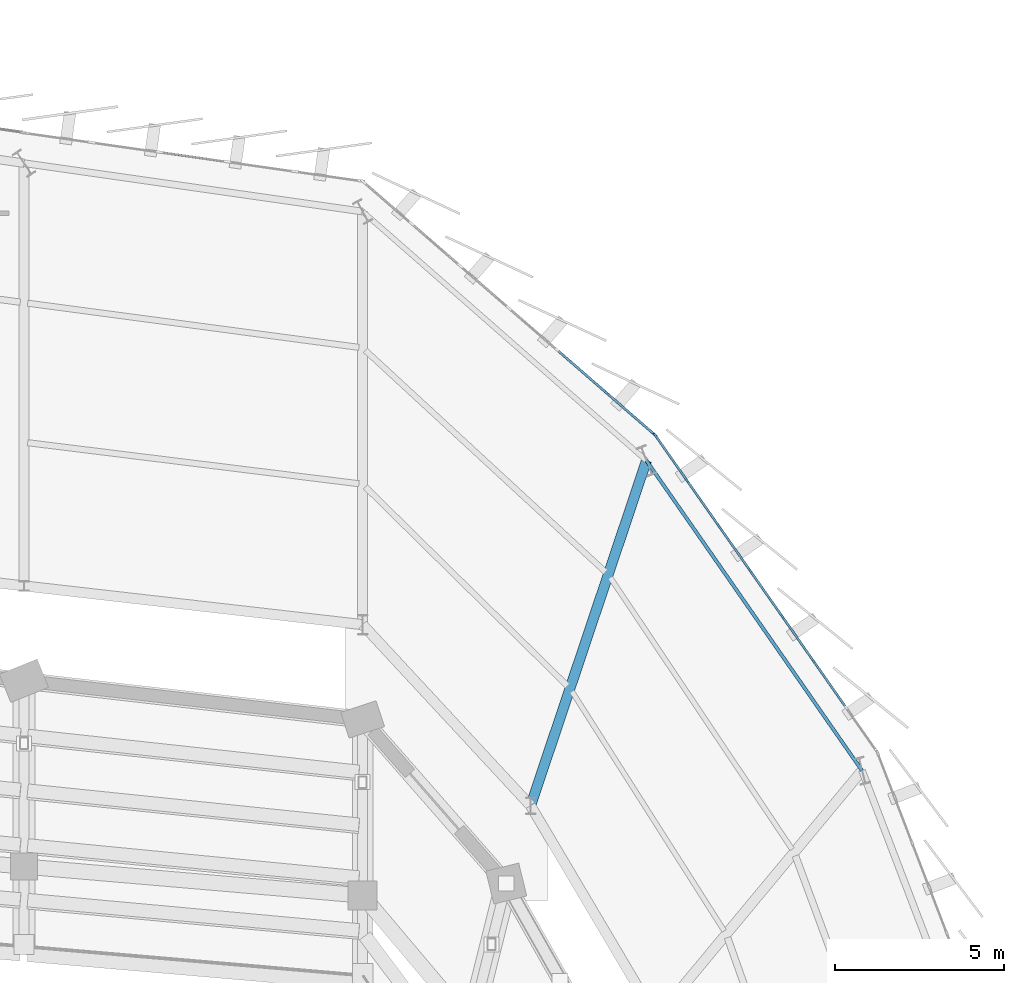
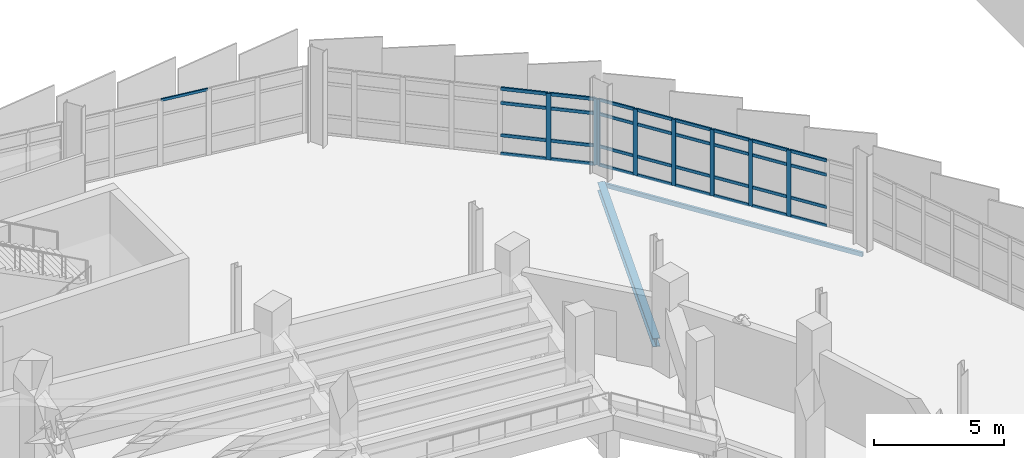
# One storey, part 72 of 120: 41 members, 2 beams, 3 elements without a shape of their own.
"""IFC4 building model written with IfcOpenShell, lengths in metres."""

from ifc_helpers import new_model, si_unit, direction, frame, origin, origin_2d, place, context, subcontext, project, spatial, rectangle, hollow_rectangle, i_section, extrude, material, layer, layer_set, material_profile, profile_set, type_object, element, aggregate, save


model = new_model("IFC4")

# Units and contexts
model_context = context("Model", 3, precision=1e-05, world=origin(), true_north=direction((0.0, 1.0)))
body_context = subcontext(model_context, "Body", "Model", "MODEL_VIEW")
ifc_project = project(units=[si_unit("LENGTHUNIT", "METRE"), si_unit("AREAUNIT", "SQUARE_METRE"), si_unit("VOLUMEUNIT", "CUBIC_METRE"), si_unit("PLANEANGLEUNIT", "RADIAN"), si_unit("MASSUNIT", "GRAM", prefix="KILO")], contexts=[model_context])

# Site, building, storey
site_placement = place(None, origin())
site = spatial("IfcSite", under=ifc_project, at=site_placement, CompositionType="ELEMENT")
building_placement = place(site_placement, origin())
building = spatial("IfcBuilding", under=site, at=building_placement, Name="Sohan Crest Arena", CompositionType="ELEMENT")
storey_placement = place(building_placement, frame((0.0, 0.0, 13.5)))
storey = spatial("IfcBuildingStorey", under=building, at=storey_placement, Name="L03", CompositionType="ELEMENT", Elevation=13.5)

# Curtain wall, members
ifc_material_1 = material(Name="Thermally broken anodised aluminium", Category="aluminium")
ifc_layer_1 = layer(ifc_material_1, 0.199951171875, Name="Thermally broken anodised aluminium")
ifc_layer_set_1 = layer_set([ifc_layer_1], Name="Thermally broken anodised aluminium")
curtain_wall_type_1 = type_object("IfcCurtainWallType", Name="ARC-CW02", PredefinedType="NOTDEFINED", material=ifc_layer_set_1)
curtain_wall_1_placement = place(storey_placement, origin())
curtain_wall_1 = element("IfcCurtainWall", 1, at=curtain_wall_1_placement, inside=storey, type_object=curtain_wall_type_1, Name="Unitised curtain wall CW-103", PredefinedType="NOTDEFINED")
ifc_material_profile_1 = material_profile(ifc_material_1, rectangle(XDim=0.06494140625, YDim=0.179931640625, at=origin_2d()), Name="ALU-MULL 65x180")
ifc_profile_set_1 = profile_set([ifc_material_profile_1], Name="Thermally broken anodised aluminium")
member_type_1 = type_object("IfcMemberType", Name="ARC-CW-ML02", PredefinedType="MULLION", material=ifc_profile_set_1)
member_1_placement = place(storey_placement, frame((181.327392578125, 102.709228515625, 0.0), z_axis=(0.0, 0.0, 1.0), x_axis=(-0.818899102687, -0.573937504976, 0.0)))
member_1 = element("IfcMember", 2, at=member_1_placement, type_object=member_type_1, Name="CW-103 mullion 3", PredefinedType="MULLION", context=body_context, shape_type="SweptSolid", body=[
    extrude(rectangle(XDim=0.06494140625, YDim=0.179931640625, at=origin_2d()), origin(), (0.0, 0.0, 1.0), 3.1201171875),
])
member_2_placement = place(storey_placement, frame((180.389404296875, 104.04736328125, 0.0), z_axis=(0.0, 0.0, 1.0), x_axis=(-0.818899102687, -0.573937504976, 0.0)))
member_2 = element("IfcMember", 3, at=member_2_placement, type_object=member_type_1, Name="CW-103 mullion 4", PredefinedType="MULLION", context=body_context, shape_type="SweptSolid", body=[
    extrude(rectangle(XDim=0.06494140625, YDim=0.179931640625, at=origin_2d()), origin(), (0.0, 0.0, 1.0), 3.1201171875),
])
member_3_placement = place(storey_placement, frame((179.45166015625, 105.385498046875, 0.0), z_axis=(0.0, 0.0, 1.0), x_axis=(-0.818899102687, -0.573937504976, 0.0)))
member_3 = element("IfcMember", 4, at=member_3_placement, type_object=member_type_1, Name="CW-103 mullion 5", PredefinedType="MULLION", context=body_context, shape_type="SweptSolid", body=[
    extrude(rectangle(XDim=0.06494140625, YDim=0.179931640625, at=origin_2d()), origin(), (0.0, 0.0, 1.0), 3.1201171875),
])
member_4_placement = place(storey_placement, frame((178.513671875, 106.7236328125, 0.0), z_axis=(0.0, 0.0, 1.0), x_axis=(-0.818899102687, -0.573937504976, 0.0)))
member_4 = element("IfcMember", 5, at=member_4_placement, type_object=member_type_1, Name="CW-103 mullion 6", PredefinedType="MULLION", context=body_context, shape_type="SweptSolid", body=[
    extrude(rectangle(XDim=0.06494140625, YDim=0.179931640625, at=origin_2d()), origin(), (0.0, 0.0, 1.0), 3.1201171875),
])
member_5_placement = place(storey_placement, frame((177.575927734375, 108.061767578125, 0.0), z_axis=(0.0, 0.0, 1.0), x_axis=(-0.818899102687, -0.573937504976, 0.0)))
member_5 = element("IfcMember", 6, at=member_5_placement, type_object=member_type_1, Name="CW-103 mullion 7", PredefinedType="MULLION", context=body_context, shape_type="SweptSolid", body=[
    extrude(rectangle(XDim=0.06494140625, YDim=0.179931640625, at=origin_2d()), origin(), (0.0, 0.0, 1.0), 3.1201171875),
])
member_6_placement = place(storey_placement, frame((176.65673828125, 109.373291015625, 0.0), z_axis=(0.0, 0.0, 1.0), x_axis=(-0.818899102687, -0.573937504976, 0.0)))
member_6 = element("IfcMember", 7, at=member_6_placement, type_object=member_type_1, Name="CW-103 mullion 8", PredefinedType="MULLION", context=body_context, shape_type="SweptSolid", body=[
    extrude(rectangle(XDim=0.06494140625, YDim=0.179931640625, at=origin_2d()), origin(), (0.0, 0.0, 1.0), 3.1201171875),
])

ifc_layer_2 = layer(ifc_material_1, 0.219970703125, Name="Thermally broken anodised aluminium")
ifc_layer_set_2 = layer_set([ifc_layer_2], Name="Thermally broken anodised aluminium")
curtain_wall_type_2 = type_object("IfcCurtainWallType", Name="ARC-CW03", PredefinedType="NOTDEFINED", material=ifc_layer_set_2)
curtain_wall_2_placement = place(storey_placement, origin())
curtain_wall_2 = element("IfcCurtainWall", 8, at=curtain_wall_2_placement, inside=storey, type_object=curtain_wall_type_2, Name="Unitised curtain wall CW-104", PredefinedType="NOTDEFINED")
ifc_material_profile_2 = material_profile(ifc_material_1, rectangle(XDim=0.070068359375, YDim=0.199951171875, at=origin_2d()), Name="ALU-MULL 70x200")
ifc_profile_set_2 = profile_set([ifc_material_profile_2], Name="Thermally broken anodised aluminium")
member_type_2 = type_object("IfcMemberType", Name="ARC-CW-ML03", PredefinedType="MULLION", material=ifc_profile_set_2)
member_7_placement = place(storey_placement, frame((176.611572265625, 109.4228515625, 0.0), z_axis=(0.0, 0.0, 1.0), x_axis=(-0.655615836736, -0.755094613026, 0.0)))
member_7 = element("IfcMember", 9, at=member_7_placement, type_object=member_type_2, Name="CW-104 mullion 1", PredefinedType="MULLION", context=body_context, shape_type="SweptSolid", body=[
    extrude(rectangle(XDim=0.070068359375, YDim=0.199951171875, at=origin_2d()), origin(), (0.0, 0.0, 1.0), 3.1201171875),
])
member_8_placement = place(storey_placement, frame((175.1982421875, 110.64990234375, 0.0), z_axis=(0.0, 0.0, 1.0), x_axis=(-0.655615836736, -0.755094613026, 0.0)))
member_8 = element("IfcMember", 10, at=member_8_placement, type_object=member_type_2, Name="CW-104 mullion 2", PredefinedType="MULLION", context=body_context, shape_type="SweptSolid", body=[
    extrude(rectangle(XDim=0.070068359375, YDim=0.199951171875, at=origin_2d()), origin(), (0.0, 0.0, 1.0), 3.1201171875),
])

# Curtain wall, member
ifc_layer_3 = layer(ifc_material_1, 0.239990234375, Name="Thermally broken anodised aluminium")
ifc_layer_set_3 = layer_set([ifc_layer_3], Name="Thermally broken anodised aluminium")
curtain_wall_type_3 = type_object("IfcCurtainWallType", Name="ARC-CW04", PredefinedType="NOTDEFINED", material=ifc_layer_set_3)
curtain_wall_3_placement = place(storey_placement, origin())
curtain_wall_3 = element("IfcCurtainWall", 11, at=curtain_wall_3_placement, inside=storey, type_object=curtain_wall_type_3, Name="Unitised curtain wall CW-105", PredefinedType="NOTDEFINED")
ifc_material_profile_3 = material_profile(ifc_material_1, rectangle(XDim=0.06005859375, YDim=0.1201171875, at=origin_2d()), Name="ALU-TRAN 60x120")
ifc_profile_set_3 = profile_set([ifc_material_profile_3], Name="Thermally broken anodised aluminium")
member_type_3 = type_object("IfcMemberType", Name="ARC-CW-TR01", PredefinedType="USERDEFINED", material=ifc_profile_set_3)
member_9_placement = place(storey_placement, frame((163.962890625, 117.476806640625, 3.090087890625), z_axis=(-0.989929403979, 0.141561912739, 0.0), x_axis=(-0.141561912739, -0.989929403979, 0.0)))
member_9 = element("IfcMember", 12, at=member_9_placement, type_object=member_type_3, Name="CW-105 transom 3.4", ObjectType="TRANSOM", PredefinedType="USERDEFINED", context=body_context, shape_type="SweptSolid", body=[
    extrude(rectangle(XDim=0.06005859375, YDim=0.1201171875, at=origin_2d()), origin(), (0.0, 0.0, 1.0), 1.9453125),
])
aggregate(curtain_wall_3, [member_9])

# Member
ifc_material_profile_4 = material_profile(ifc_material_1, rectangle(XDim=0.06494140625, YDim=0.139892578125, at=origin_2d()), Name="ALU-TRAN 65x140")
ifc_profile_set_4 = profile_set([ifc_material_profile_4], Name="Thermally broken anodised aluminium")
member_type_4 = type_object("IfcMemberType", Name="ARC-CW-TR02", PredefinedType="USERDEFINED", material=ifc_profile_set_4)
member_10_placement = place(storey_placement, frame((182.24658203125, 101.397705078125, 0.032470703125), z_axis=(-0.573973906459, 0.818873588965, 0.0), x_axis=(-0.818873588965, -0.573973906459, 0.0)))
member_10 = element("IfcMember", 13, at=member_10_placement, type_object=member_type_4, Name="CW-103 transom 2.1", ObjectType="TRANSOM", PredefinedType="USERDEFINED", context=body_context, shape_type="SweptSolid", body=[
    extrude(rectangle(XDim=0.06494140625, YDim=0.139892578125, at=origin_2d()), origin(), (0.0, 0.0, 1.0), 1.569091796875),
])

member_11_placement = place(storey_placement, frame((182.24658203125, 101.397705078125, 0.89990234375), z_axis=(-0.573973906459, 0.818873588965, 0.0), x_axis=(-0.818873588965, -0.573973906459, 0.0)))
member_11 = element("IfcMember", 14, at=member_11_placement, type_object=member_type_4, Name="CW-103 transom 2.2", ObjectType="TRANSOM", PredefinedType="USERDEFINED", context=body_context, shape_type="SweptSolid", body=[
    extrude(rectangle(XDim=0.06494140625, YDim=0.139892578125, at=origin_2d()), origin(), (0.0, 0.0, 1.0), 1.569091796875),
])

member_12_placement = place(storey_placement, frame((182.24658203125, 101.397705078125, 2.419921875), z_axis=(-0.573973906459, 0.818873588965, 0.0), x_axis=(-0.818873588965, -0.573973906459, 0.0)))
member_12 = element("IfcMember", 15, at=member_12_placement, type_object=member_type_4, Name="CW-103 transom 2.3", ObjectType="TRANSOM", PredefinedType="USERDEFINED", context=body_context, shape_type="SweptSolid", body=[
    extrude(rectangle(XDim=0.06494140625, YDim=0.139892578125, at=origin_2d()), origin(), (0.0, 0.0, 1.0), 1.569091796875),
])

member_13_placement = place(storey_placement, frame((182.24658203125, 101.397705078125, 3.08740234375), z_axis=(-0.573973906459, 0.818873588965, 0.0), x_axis=(-0.818873588965, -0.573973906459, 0.0)))
member_13 = element("IfcMember", 16, at=member_13_placement, type_object=member_type_4, Name="CW-103 transom 2.4", ObjectType="TRANSOM", PredefinedType="USERDEFINED", context=body_context, shape_type="SweptSolid", body=[
    extrude(rectangle(XDim=0.06494140625, YDim=0.139892578125, at=origin_2d()), origin(), (0.0, 0.0, 1.0), 1.569091796875),
])

member_14_placement = place(storey_placement, frame((181.30859375, 102.73583984375, 0.032470703125), z_axis=(-0.573869560556, 0.818946718332, 0.0), x_axis=(-0.818946718332, -0.573869560556, 0.0)))
member_14 = element("IfcMember", 17, at=member_14_placement, type_object=member_type_4, Name="CW-103 transom 3.1", ObjectType="TRANSOM", PredefinedType="USERDEFINED", context=body_context, shape_type="SweptSolid", body=[
    extrude(rectangle(XDim=0.06494140625, YDim=0.139892578125, at=origin_2d()), origin(), (0.0, 0.0, 1.0), 1.569091796875),
])

member_15_placement = place(storey_placement, frame((181.30859375, 102.73583984375, 0.89990234375), z_axis=(-0.573869560556, 0.818946718332, 0.0), x_axis=(-0.818946718332, -0.573869560556, 0.0)))
member_15 = element("IfcMember", 18, at=member_15_placement, type_object=member_type_4, Name="CW-103 transom 3.2", ObjectType="TRANSOM", PredefinedType="USERDEFINED", context=body_context, shape_type="SweptSolid", body=[
    extrude(rectangle(XDim=0.06494140625, YDim=0.139892578125, at=origin_2d()), origin(), (0.0, 0.0, 1.0), 1.569091796875),
])

member_16_placement = place(storey_placement, frame((181.30859375, 102.73583984375, 2.419921875), z_axis=(-0.573869560556, 0.818946718332, 0.0), x_axis=(-0.818946718332, -0.573869560556, 0.0)))
member_16 = element("IfcMember", 19, at=member_16_placement, type_object=member_type_4, Name="CW-103 transom 3.3", ObjectType="TRANSOM", PredefinedType="USERDEFINED", context=body_context, shape_type="SweptSolid", body=[
    extrude(rectangle(XDim=0.06494140625, YDim=0.139892578125, at=origin_2d()), origin(), (0.0, 0.0, 1.0), 1.569091796875),
])

member_17_placement = place(storey_placement, frame((181.30859375, 102.73583984375, 3.08740234375), z_axis=(-0.573869560556, 0.818946718332, 0.0), x_axis=(-0.818946718332, -0.573869560556, 0.0)))
member_17 = element("IfcMember", 20, at=member_17_placement, type_object=member_type_4, Name="CW-103 transom 3.4", ObjectType="TRANSOM", PredefinedType="USERDEFINED", context=body_context, shape_type="SweptSolid", body=[
    extrude(rectangle(XDim=0.06494140625, YDim=0.139892578125, at=origin_2d()), origin(), (0.0, 0.0, 1.0), 1.569091796875),
])

member_18_placement = place(storey_placement, frame((180.370849609375, 104.073974609375, 0.032470703125), z_axis=(-0.573973906459, 0.818873588965, 0.0), x_axis=(-0.818873588965, -0.573973906459, 0.0)))
member_18 = element("IfcMember", 21, at=member_18_placement, type_object=member_type_4, Name="CW-103 transom 4.1", ObjectType="TRANSOM", PredefinedType="USERDEFINED", context=body_context, shape_type="SweptSolid", body=[
    extrude(rectangle(XDim=0.06494140625, YDim=0.139892578125, at=origin_2d()), origin(), (0.0, 0.0, 1.0), 1.569091796875),
])

member_19_placement = place(storey_placement, frame((180.370849609375, 104.073974609375, 0.89990234375), z_axis=(-0.573973906459, 0.818873588965, 0.0), x_axis=(-0.818873588965, -0.573973906459, 0.0)))
member_19 = element("IfcMember", 22, at=member_19_placement, type_object=member_type_4, Name="CW-103 transom 4.2", ObjectType="TRANSOM", PredefinedType="USERDEFINED", context=body_context, shape_type="SweptSolid", body=[
    extrude(rectangle(XDim=0.06494140625, YDim=0.139892578125, at=origin_2d()), origin(), (0.0, 0.0, 1.0), 1.569091796875),
])

member_20_placement = place(storey_placement, frame((180.370849609375, 104.073974609375, 2.419921875), z_axis=(-0.573973906459, 0.818873588965, 0.0), x_axis=(-0.818873588965, -0.573973906459, 0.0)))
member_20 = element("IfcMember", 23, at=member_20_placement, type_object=member_type_4, Name="CW-103 transom 4.3", ObjectType="TRANSOM", PredefinedType="USERDEFINED", context=body_context, shape_type="SweptSolid", body=[
    extrude(rectangle(XDim=0.06494140625, YDim=0.139892578125, at=origin_2d()), origin(), (0.0, 0.0, 1.0), 1.569091796875),
])

member_21_placement = place(storey_placement, frame((180.370849609375, 104.073974609375, 3.08740234375), z_axis=(-0.573973906459, 0.818873588965, 0.0), x_axis=(-0.818873588965, -0.573973906459, 0.0)))
member_21 = element("IfcMember", 24, at=member_21_placement, type_object=member_type_4, Name="CW-103 transom 4.4", ObjectType="TRANSOM", PredefinedType="USERDEFINED", context=body_context, shape_type="SweptSolid", body=[
    extrude(rectangle(XDim=0.06494140625, YDim=0.139892578125, at=origin_2d()), origin(), (0.0, 0.0, 1.0), 1.569091796875),
])

member_22_placement = place(storey_placement, frame((179.432861328125, 105.412109375, 0.032470703125), z_axis=(-0.573869560556, 0.818946718332, 0.0), x_axis=(-0.818946718332, -0.573869560556, 0.0)))
member_22 = element("IfcMember", 25, at=member_22_placement, type_object=member_type_4, Name="CW-103 transom 5.1", ObjectType="TRANSOM", PredefinedType="USERDEFINED", context=body_context, shape_type="SweptSolid", body=[
    extrude(rectangle(XDim=0.06494140625, YDim=0.139892578125, at=origin_2d()), origin(), (0.0, 0.0, 1.0), 1.569091796875),
])

member_23_placement = place(storey_placement, frame((179.432861328125, 105.412109375, 0.89990234375), z_axis=(-0.573869560556, 0.818946718332, 0.0), x_axis=(-0.818946718332, -0.573869560556, 0.0)))
member_23 = element("IfcMember", 26, at=member_23_placement, type_object=member_type_4, Name="CW-103 transom 5.2", ObjectType="TRANSOM", PredefinedType="USERDEFINED", context=body_context, shape_type="SweptSolid", body=[
    extrude(rectangle(XDim=0.06494140625, YDim=0.139892578125, at=origin_2d()), origin(), (0.0, 0.0, 1.0), 1.569091796875),
])

member_24_placement = place(storey_placement, frame((179.432861328125, 105.412109375, 2.419921875), z_axis=(-0.573869560556, 0.818946718332, 0.0), x_axis=(-0.818946718332, -0.573869560556, 0.0)))
member_24 = element("IfcMember", 27, at=member_24_placement, type_object=member_type_4, Name="CW-103 transom 5.3", ObjectType="TRANSOM", PredefinedType="USERDEFINED", context=body_context, shape_type="SweptSolid", body=[
    extrude(rectangle(XDim=0.06494140625, YDim=0.139892578125, at=origin_2d()), origin(), (0.0, 0.0, 1.0), 1.569091796875),
])

member_25_placement = place(storey_placement, frame((179.432861328125, 105.412109375, 3.08740234375), z_axis=(-0.573869560556, 0.818946718332, 0.0), x_axis=(-0.818946718332, -0.573869560556, 0.0)))
member_25 = element("IfcMember", 28, at=member_25_placement, type_object=member_type_4, Name="CW-103 transom 5.4", ObjectType="TRANSOM", PredefinedType="USERDEFINED", context=body_context, shape_type="SweptSolid", body=[
    extrude(rectangle(XDim=0.06494140625, YDim=0.139892578125, at=origin_2d()), origin(), (0.0, 0.0, 1.0), 1.569091796875),
])

member_26_placement = place(storey_placement, frame((178.4951171875, 106.750244140625, 0.032470703125), z_axis=(-0.573973906459, 0.818873588965, 0.0), x_axis=(-0.818873588965, -0.573973906459, 0.0)))
member_26 = element("IfcMember", 29, at=member_26_placement, type_object=member_type_4, Name="CW-103 transom 6.1", ObjectType="TRANSOM", PredefinedType="USERDEFINED", context=body_context, shape_type="SweptSolid", body=[
    extrude(rectangle(XDim=0.06494140625, YDim=0.139892578125, at=origin_2d()), origin(), (0.0, 0.0, 1.0), 1.569091796875),
])

member_27_placement = place(storey_placement, frame((178.4951171875, 106.750244140625, 0.89990234375), z_axis=(-0.573973906459, 0.818873588965, 0.0), x_axis=(-0.818873588965, -0.573973906459, 0.0)))
member_27 = element("IfcMember", 30, at=member_27_placement, type_object=member_type_4, Name="CW-103 transom 6.2", ObjectType="TRANSOM", PredefinedType="USERDEFINED", context=body_context, shape_type="SweptSolid", body=[
    extrude(rectangle(XDim=0.06494140625, YDim=0.139892578125, at=origin_2d()), origin(), (0.0, 0.0, 1.0), 1.569091796875),
])

member_28_placement = place(storey_placement, frame((178.4951171875, 106.750244140625, 2.419921875), z_axis=(-0.573973906459, 0.818873588965, 0.0), x_axis=(-0.818873588965, -0.573973906459, 0.0)))
member_28 = element("IfcMember", 31, at=member_28_placement, type_object=member_type_4, Name="CW-103 transom 6.3", ObjectType="TRANSOM", PredefinedType="USERDEFINED", context=body_context, shape_type="SweptSolid", body=[
    extrude(rectangle(XDim=0.06494140625, YDim=0.139892578125, at=origin_2d()), origin(), (0.0, 0.0, 1.0), 1.569091796875),
])

member_29_placement = place(storey_placement, frame((178.4951171875, 106.750244140625, 3.08740234375), z_axis=(-0.573973906459, 0.818873588965, 0.0), x_axis=(-0.818873588965, -0.573973906459, 0.0)))
member_29 = element("IfcMember", 32, at=member_29_placement, type_object=member_type_4, Name="CW-103 transom 6.4", ObjectType="TRANSOM", PredefinedType="USERDEFINED", context=body_context, shape_type="SweptSolid", body=[
    extrude(rectangle(XDim=0.06494140625, YDim=0.139892578125, at=origin_2d()), origin(), (0.0, 0.0, 1.0), 1.569091796875),
])

member_30_placement = place(storey_placement, frame((177.55712890625, 108.08837890625, 0.032470703125), z_axis=(-0.573910136091, 0.818918283891, 0.0), x_axis=(-0.818918283891, -0.573910136091, 0.0)))
member_30 = element("IfcMember", 33, at=member_30_placement, type_object=member_type_4, Name="CW-103 transom 7.1", ObjectType="TRANSOM", PredefinedType="USERDEFINED", context=body_context, shape_type="SweptSolid", body=[
    extrude(rectangle(XDim=0.06494140625, YDim=0.139892578125, at=origin_2d()), origin(), (0.0, 0.0, 1.0), 1.53662109375),
])

member_31_placement = place(storey_placement, frame((177.55712890625, 108.08837890625, 0.89990234375), z_axis=(-0.573910136091, 0.818918283891, 0.0), x_axis=(-0.818918283891, -0.573910136091, 0.0)))
member_31 = element("IfcMember", 34, at=member_31_placement, type_object=member_type_4, Name="CW-103 transom 7.2", ObjectType="TRANSOM", PredefinedType="USERDEFINED", context=body_context, shape_type="SweptSolid", body=[
    extrude(rectangle(XDim=0.06494140625, YDim=0.139892578125, at=origin_2d()), origin(), (0.0, 0.0, 1.0), 1.53662109375),
])

member_32_placement = place(storey_placement, frame((177.55712890625, 108.08837890625, 2.419921875), z_axis=(-0.573910136091, 0.818918283891, 0.0), x_axis=(-0.818918283891, -0.573910136091, 0.0)))
member_32 = element("IfcMember", 35, at=member_32_placement, type_object=member_type_4, Name="CW-103 transom 7.3", ObjectType="TRANSOM", PredefinedType="USERDEFINED", context=body_context, shape_type="SweptSolid", body=[
    extrude(rectangle(XDim=0.06494140625, YDim=0.139892578125, at=origin_2d()), origin(), (0.0, 0.0, 1.0), 1.53662109375),
])

member_33_placement = place(storey_placement, frame((177.55712890625, 108.08837890625, 3.08740234375), z_axis=(-0.573910136091, 0.818918283891, 0.0), x_axis=(-0.818918283891, -0.573910136091, 0.0)))
member_33 = element("IfcMember", 36, at=member_33_placement, type_object=member_type_4, Name="CW-103 transom 7.4", ObjectType="TRANSOM", PredefinedType="USERDEFINED", context=body_context, shape_type="SweptSolid", body=[
    extrude(rectangle(XDim=0.06494140625, YDim=0.139892578125, at=origin_2d()), origin(), (0.0, 0.0, 1.0), 1.53662109375),
])

aggregate(curtain_wall_1, [member_1, member_2, member_3, member_4, member_5, member_6, member_10, member_11, member_12, member_13, member_14, member_15, member_16, member_17, member_18, member_19, member_20, member_21, member_22, member_23, member_24, member_25, member_26, member_27, member_28, member_29, member_30, member_31, member_32, member_33])

ifc_material_profile_5 = material_profile(ifc_material_1, rectangle(XDim=0.070068359375, YDim=0.14990234375, at=origin_2d()), Name="ALU-TRAN 70x150")
ifc_profile_set_5 = profile_set([ifc_material_profile_5], Name="Thermally broken anodised aluminium")
member_type_5 = type_object("IfcMemberType", Name="ARC-CW-TR03", PredefinedType="USERDEFINED", material=ifc_profile_set_5)
member_34_placement = place(storey_placement, frame((176.585205078125, 109.44580078125, 0.034912109375), z_axis=(-0.755089611384, 0.65562159725, 0.0), x_axis=(-0.65562159725, -0.755089611384, 0.0)))
member_34 = element("IfcMember", 37, at=member_34_placement, type_object=member_type_5, Name="CW-104 transom 1.1", ObjectType="TRANSOM", PredefinedType="USERDEFINED", context=body_context, shape_type="SweptSolid", body=[
    extrude(rectangle(XDim=0.070068359375, YDim=0.14990234375, at=origin_2d()), origin(), (0.0, 0.0, 1.0), 1.801513671875),
])

member_35_placement = place(storey_placement, frame((176.585205078125, 109.44580078125, 0.89990234375), z_axis=(-0.755089611384, 0.65562159725, 0.0), x_axis=(-0.65562159725, -0.755089611384, 0.0)))
member_35 = element("IfcMember", 38, at=member_35_placement, type_object=member_type_5, Name="CW-104 transom 1.2", ObjectType="TRANSOM", PredefinedType="USERDEFINED", context=body_context, shape_type="SweptSolid", body=[
    extrude(rectangle(XDim=0.070068359375, YDim=0.14990234375, at=origin_2d()), origin(), (0.0, 0.0, 1.0), 1.801513671875),
])

member_36_placement = place(storey_placement, frame((176.585205078125, 109.44580078125, 2.419921875), z_axis=(-0.755089611384, 0.65562159725, 0.0), x_axis=(-0.65562159725, -0.755089611384, 0.0)))
member_36 = element("IfcMember", 39, at=member_36_placement, type_object=member_type_5, Name="CW-104 transom 1.3", ObjectType="TRANSOM", PredefinedType="USERDEFINED", context=body_context, shape_type="SweptSolid", body=[
    extrude(rectangle(XDim=0.070068359375, YDim=0.14990234375, at=origin_2d()), origin(), (0.0, 0.0, 1.0), 1.801513671875),
])

member_37_placement = place(storey_placement, frame((176.585205078125, 109.44580078125, 3.0849609375), z_axis=(-0.755089611384, 0.65562159725, 0.0), x_axis=(-0.65562159725, -0.755089611384, 0.0)))
member_37 = element("IfcMember", 40, at=member_37_placement, type_object=member_type_5, Name="CW-104 transom 1.4", ObjectType="TRANSOM", PredefinedType="USERDEFINED", context=body_context, shape_type="SweptSolid", body=[
    extrude(rectangle(XDim=0.070068359375, YDim=0.14990234375, at=origin_2d()), origin(), (0.0, 0.0, 1.0), 1.801513671875),
])

member_38_placement = place(storey_placement, frame((175.171875, 110.6728515625, 0.034912109375), z_axis=(-0.755074682237, 0.655638790985, 0.0), x_axis=(-0.655638790985, -0.755074682237, 0.0)))
member_38 = element("IfcMember", 41, at=member_38_placement, type_object=member_type_5, Name="CW-104 transom 2.1", ObjectType="TRANSOM", PredefinedType="USERDEFINED", context=body_context, shape_type="SweptSolid", body=[
    extrude(rectangle(XDim=0.070068359375, YDim=0.14990234375, at=origin_2d()), origin(), (0.0, 0.0, 1.0), 1.83642578125),
])

member_39_placement = place(storey_placement, frame((175.171875, 110.6728515625, 0.89990234375), z_axis=(-0.755074682237, 0.655638790985, 0.0), x_axis=(-0.655638790985, -0.755074682237, 0.0)))
member_39 = element("IfcMember", 42, at=member_39_placement, type_object=member_type_5, Name="CW-104 transom 2.2", ObjectType="TRANSOM", PredefinedType="USERDEFINED", context=body_context, shape_type="SweptSolid", body=[
    extrude(rectangle(XDim=0.070068359375, YDim=0.14990234375, at=origin_2d()), origin(), (0.0, 0.0, 1.0), 1.83642578125),
])

member_40_placement = place(storey_placement, frame((175.171875, 110.6728515625, 2.419921875), z_axis=(-0.755074682237, 0.655638790985, 0.0), x_axis=(-0.655638790985, -0.755074682237, 0.0)))
member_40 = element("IfcMember", 43, at=member_40_placement, type_object=member_type_5, Name="CW-104 transom 2.3", ObjectType="TRANSOM", PredefinedType="USERDEFINED", context=body_context, shape_type="SweptSolid", body=[
    extrude(rectangle(XDim=0.070068359375, YDim=0.14990234375, at=origin_2d()), origin(), (0.0, 0.0, 1.0), 1.83642578125),
])

member_41_placement = place(storey_placement, frame((175.171875, 110.6728515625, 3.0849609375), z_axis=(-0.755074682237, 0.655638790985, 0.0), x_axis=(-0.655638790985, -0.755074682237, 0.0)))
member_41 = element("IfcMember", 44, at=member_41_placement, type_object=member_type_5, Name="CW-104 transom 2.4", ObjectType="TRANSOM", PredefinedType="USERDEFINED", context=body_context, shape_type="SweptSolid", body=[
    extrude(rectangle(XDim=0.070068359375, YDim=0.14990234375, at=origin_2d()), origin(), (0.0, 0.0, 1.0), 1.83642578125),
])

aggregate(curtain_wall_2, [member_7, member_8, member_34, member_35, member_36, member_37, member_38, member_39, member_40, member_41])

# Beams
ifc_material_2 = material(Name="Steel S355", Category="steel")
ifc_material_profile_6 = material_profile(ifc_material_2, i_section(OverallWidth=0.300048828125, OverallDepth=0.39990234375, WebThickness=0.013427734375, FlangeThickness=0.02392578125, at=origin_2d()), Name="HEB 400")
ifc_profile_set_6 = profile_set([ifc_material_profile_6], Name="Steel S355")
beam_type_1 = type_object("IfcBeamType", Name="STR-BM-B13", PredefinedType="BEAM", material=ifc_profile_set_6)
beam_1_placement = place(storey_placement, frame((172.9609375, 98.452880859375, -0.449951171875), z_axis=(0.318297981778, 0.947990714509, 0.0), x_axis=(-0.947990714509, 0.318297981778, 0.0)))
element("IfcBeam", 45, at=beam_1_placement, inside=storey, type_object=beam_type_1, Name="Structural beam G-L03-1515", PredefinedType="BEAM", context=body_context, shape_type="SweptSolid", body=[
    extrude(i_section(OverallWidth=0.300048828125, OverallDepth=0.39990234375, WebThickness=0.013427734375, FlangeThickness=0.02392578125, at=origin_2d()), origin(), (0.0, 0.0, 1.0), 10.751220703125),
])
ifc_material_profile_7 = material_profile(ifc_material_2, hollow_rectangle(XDim=0.10009765625, YDim=0.199951171875, WallThickness=0.008056640625, at=origin_2d()), Name="RHS 200x100x8")
ifc_profile_set_7 = profile_set([ifc_material_profile_7], Name="Steel S355")
beam_type_2 = type_object("IfcBeamType", Name="STR-BM-SP01", PredefinedType="SPANDREL", material=ifc_profile_set_7)
beam_2_placement = place(storey_placement, frame((182.7490234375, 99.489013671875, -0.35009765625), z_axis=(-0.570857282329, 0.8210493062, 0.0), x_axis=(-0.8210493062, -0.570857282329, 0.0)))
element("IfcBeam", 46, at=beam_2_placement, inside=storey, type_object=beam_type_2, Name="Structural beam SP-L03-1512", PredefinedType="SPANDREL", context=body_context, shape_type="SweptSolid", body=[
    extrude(hollow_rectangle(XDim=0.10009765625, YDim=0.199951171875, WallThickness=0.008056640625, at=origin_2d()), origin(), (0.0, 0.0, 1.0), 11.151611328125),
])

save(model, "model.ifc")
